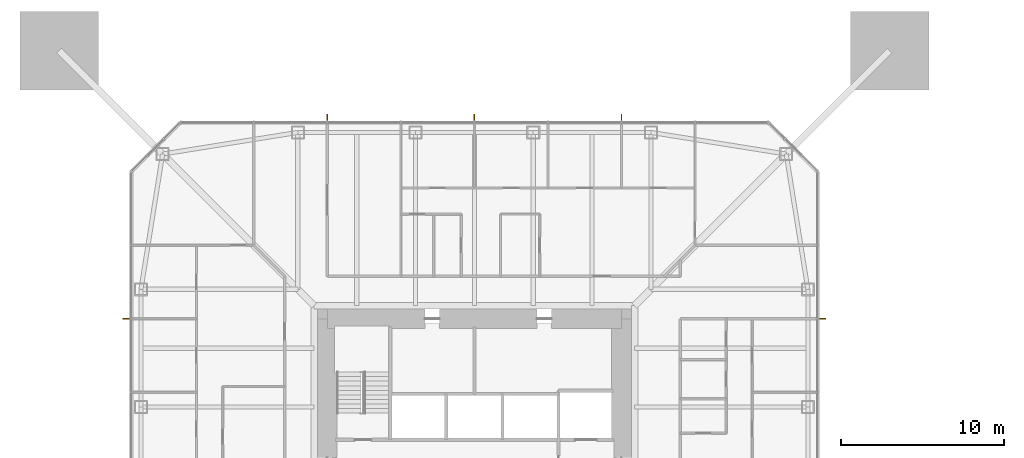
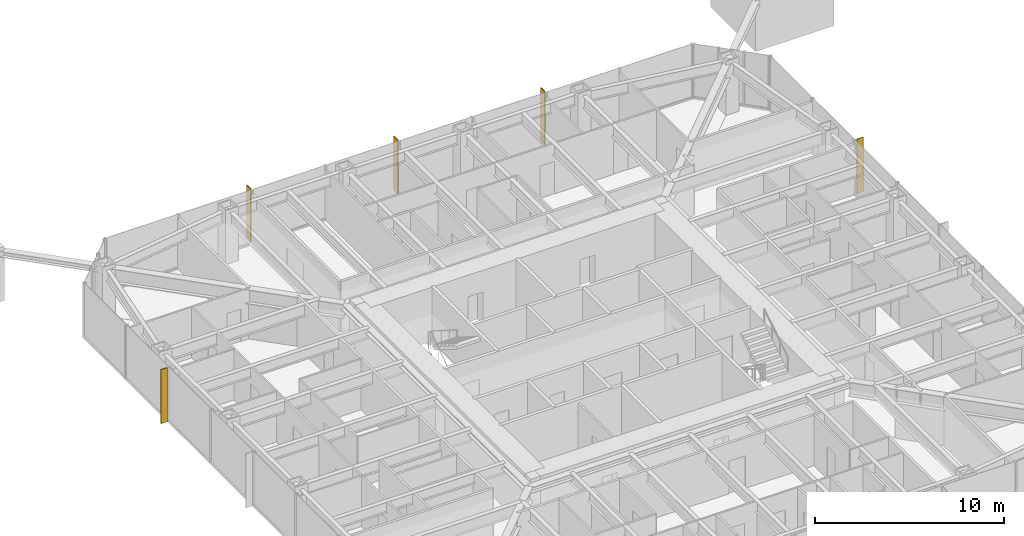
# One storey, part 24 of 25: 5 shading devices.
"""IFC4 building model written with IfcOpenShell, lengths in metres."""

from ifc_helpers import new_model, si_unit, direction, frame, origin, origin_2d, place, context, subcontext, project, spatial, rectangle, extrude, material, layer, layer_set, type_object, element, save


model = new_model("IFC4")

# Units and contexts
model_context = context("Model", 3, precision=1e-05, world=origin(), true_north=direction((0.0, 1.0)))
body_context = subcontext(model_context, "Body", "Model", "MODEL_VIEW")
ifc_project = project(units=[si_unit("LENGTHUNIT", "METRE"), si_unit("AREAUNIT", "SQUARE_METRE"), si_unit("VOLUMEUNIT", "CUBIC_METRE"), si_unit("PLANEANGLEUNIT", "RADIAN"), si_unit("MASSUNIT", "GRAM", prefix="KILO")], contexts=[model_context])

# Site, building, storey
site_placement = place(None, origin())
site = spatial("IfcSite", under=ifc_project, at=site_placement, CompositionType="ELEMENT")
building_placement = place(site_placement, origin())
building = spatial("IfcBuilding", under=site, at=building_placement, Name="Iwan Alto Co-Living Towers", CompositionType="ELEMENT")
storey_placement = place(building_placement, frame((0.0, 0.0, 101.5)))
storey = spatial("IfcBuildingStorey", under=building, at=storey_placement, Name="L27", CompositionType="ELEMENT", Elevation=101.5)

# Shading devices
ifc_material = material(Name="Aluminium 6063-T6 bronze anodised", Category="aluminium")
ifc_layer = layer(ifc_material, 0.050048828125)
ifc_layer_set = layer_set([ifc_layer], Name="BRONZE FIN 50X400")
shading_device_type = type_object("IfcShadingDeviceType", Name="BRONZE FIN 50X400", PredefinedType="USERDEFINED", material=ifc_layer_set)
for number, where, z_axis, x_axis, name in (
    (1, (21.300048828125, 9.0, 0.0), (0.0, 0.0, 1.0), (0.0, 1.0, 0.0), "Bronze fin L27"),
    (2, (9.0, 21.300048828125, 0.0), (0.0, 0.0, 1.0), (-1.0, 0.0, 0.0), "Bronze fin L27"),
    (3, (0.0, 21.300048828125, 0.0), (0.0, 0.0, 1.0), (-1.0, 0.0, 0.0), "Bronze fin L27"),
    (4, (-9.0, 21.300048828125, 0.0), (0.0, 0.0, 1.0), (-1.0, 0.0, 0.0), "Bronze fin L27"),
    (5, (-21.300048828125, 9.0, 0.0), (0.0, 0.0, 1.0), (0.0, -1.0, 0.0), "Bronze fin L27"),
):
    element("IfcShadingDevice", number, at=place(storey_placement, frame(where, z_axis=z_axis, x_axis=x_axis)), inside=storey, type_object=shading_device_type, Name=name, ObjectType="LOUVER", PredefinedType="USERDEFINED", context=body_context, shape_type="SweptSolid", body=[
        extrude(rectangle(XDim=0.050048828125, YDim=0.39990234375, at=origin_2d()), origin(), (0.0, 0.0, 1.0), 3.5),
    ])

save(model, "model.ifc")
